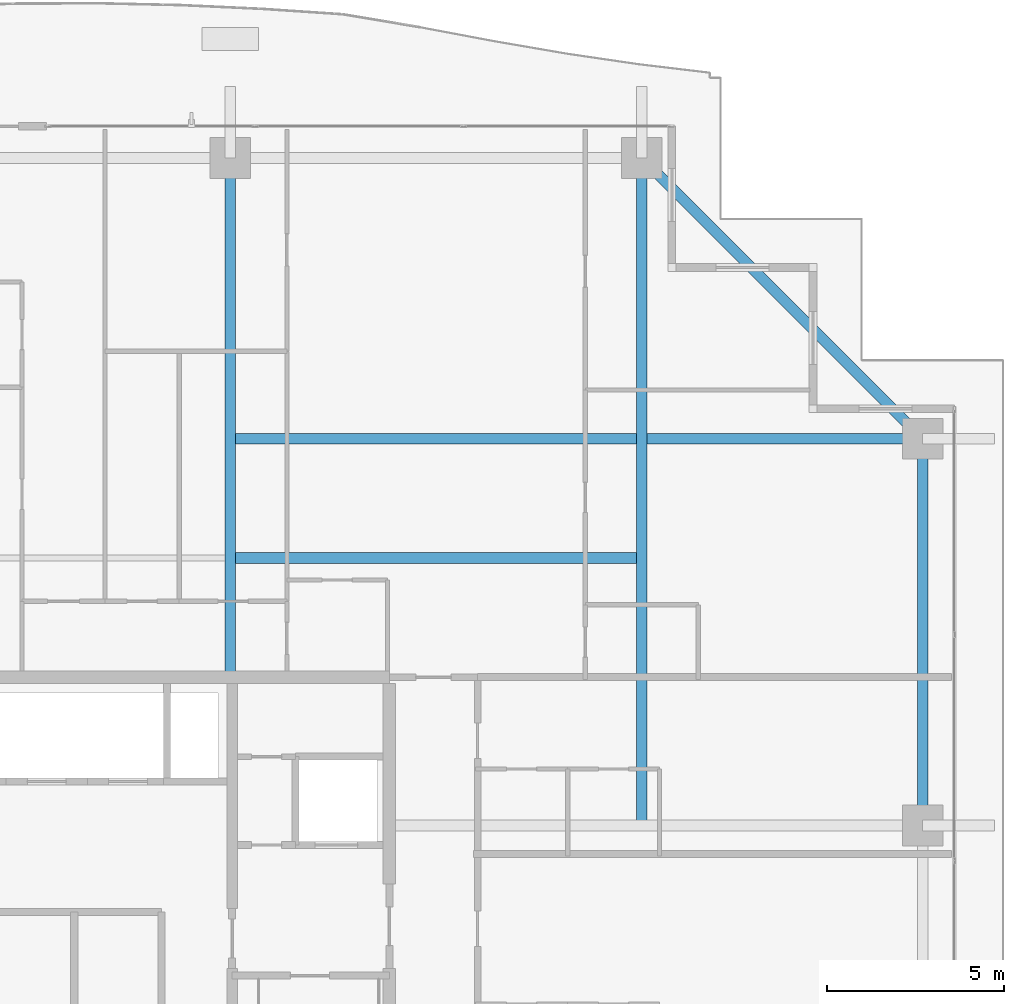
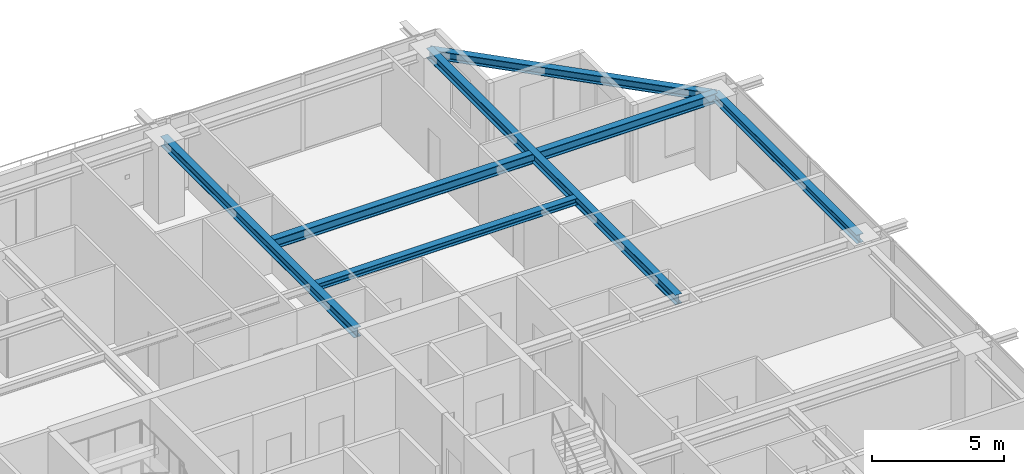
# One storey, part 23 of 40: 6 beams.
"""IFC4 building model written with IfcOpenShell, lengths in metres."""

import ifcopenshell
import ifcopenshell.guid

model = None  # the IFC model being written
_history = None  # IfcOwnerHistory: only IFC2X3 demands one
_inside = {}  # id of a spatial element -> (the spatial element, [elements in it])
_under = {}  # id of a project, library or spatial element -> (it, [spatial elements below it])
_declared = {}  # id of a project -> (the project, [libraries it declares])
_typed = {}  # id of a type object -> (the type object, [elements of that type])
_made_of = {}  # id of a material, layer set ... -> (it, [elements and type objects made of it])


def new_model(schema):
    """Start an empty IFC model of exactly this schema.

    Asked for "IFC4X3", IfcOpenShell would pick the latest addendum, in which some entities
    have other attributes; the version numbers below select the first issue.
    IFC2X3 requires an IfcOwnerHistory on every rooted entity: one is made here for all.
    """
    global model, _history
    if schema == "IFC4X3":
        model = ifcopenshell.file(schema_version=(4, 3, 0, 0))
    else:
        model = ifcopenshell.file(schema=schema)
    _inside.clear()
    _under.clear()
    _declared.clear()
    _typed.clear()
    _made_of.clear()
    _history = None
    if model.schema == "IFC2X3":
        org = make("IfcOrganization", Name="unknown")
        user = make(
            "IfcPersonAndOrganization",
            ThePerson=make("IfcPerson", FamilyName="unknown"),
            TheOrganization=org,
        )
        app = make(
            "IfcApplication",
            ApplicationDeveloper=org,
            Version="unknown",
            ApplicationFullName="unknown",
            ApplicationIdentifier="unknown",
        )
        _history = make(
            "IfcOwnerHistory",
            OwningUser=user,
            OwningApplication=app,
            ChangeAction="ADDED",
            CreationDate=0,
        )
    return model


def make(cls, **values):
    """One entity of the class cls with the attributes given. An attribute that is None is left unset."""
    return model.create_entity(
        cls, **{name: value for name, value in values.items() if value is not None}
    )


def rooted(cls, **values):
    """An entity with a GlobalId (a new one), such as an element, a storey or a relation."""
    return make(cls, GlobalId=ifcopenshell.guid.new(), OwnerHistory=_history, **values)


def si_unit(unit_type, name, prefix=None):
    """IfcSIUnit, for example si_unit("LENGTHUNIT", "METRE", prefix="MILLI")."""
    return make("IfcSIUnit", UnitType=unit_type, Prefix=prefix, Name=name)


def assignment(units):
    """IfcUnitAssignment: the units of a project."""
    return None if units is None else make("IfcUnitAssignment", Units=units)


def point(xyz):
    """IfcCartesianPoint."""
    return None if xyz is None else make("IfcCartesianPoint", Coordinates=xyz)


def direction(xyz):
    """IfcDirection."""
    return None if xyz is None else make("IfcDirection", DirectionRatios=xyz)


def frame(location, z_axis=None, x_axis=None):
    """IfcAxis2Placement3D, a coordinate frame: its origin and axes. An axis left out is left unset."""
    return make(
        "IfcAxis2Placement3D",
        Location=point(location),
        Axis=direction(z_axis),
        RefDirection=direction(x_axis),
    )


def frame_2d(location, x_axis=None):
    """IfcAxis2Placement2D, a coordinate frame in the plane: its origin and x axis."""
    return make(
        "IfcAxis2Placement2D", Location=point(location), RefDirection=direction(x_axis)
    )


def origin():
    """The frame at (0, 0, 0) with its axes left unset."""
    return frame((0.0, 0.0, 0.0))


def origin_2d():
    """The frame at (0, 0) in the plane with its x axis left unset."""
    return frame_2d((0.0, 0.0))


def place(relative_to, where):
    """IfcLocalPlacement: puts the frame where relative to a parent placement (None: the world)."""
    return make(
        "IfcLocalPlacement", PlacementRelTo=relative_to, RelativePlacement=where
    )


def context(
    kind, dimensions, precision=None, world=None, true_north=None, identifier=None
):
    """IfcGeometricRepresentationContext, for example the 3D "Model" context."""
    return make(
        "IfcGeometricRepresentationContext",
        ContextIdentifier=identifier,
        ContextType=kind,
        CoordinateSpaceDimension=dimensions,
        Precision=precision,
        WorldCoordinateSystem=world,
        TrueNorth=true_north,
    )


def subcontext(parent, identifier, kind, view, scale=None):
    """IfcGeometricRepresentationSubContext, for example "Body" below "Model"."""
    return make(
        "IfcGeometricRepresentationSubContext",
        ContextIdentifier=identifier,
        ContextType=kind,
        ParentContext=parent,
        TargetScale=scale,
        TargetView=view,
    )


def project(units=None, contexts=None):
    """IfcProject with its units and contexts."""
    return rooted(
        "IfcProject",
        Name="project",
        RepresentationContexts=contexts,
        UnitsInContext=assignment(units),
    )


def spatial(cls, under=None, at=None, **own):
    """A site, building, storey or space (cls), placed at a placement, below another one or the project."""
    s = rooted(cls, ObjectPlacement=at, **own)
    if under is not None:
        _under.setdefault(under.id(), (under, []))[1].append(s)
    return s


def profile(cls, at=None, kind="AREA", **sizes):
    """A parametric profile (cls). Its sizes go by their IFC names, for example OverallWidth=200.0."""
    return make(cls, ProfileType=kind, Position=at, **sizes)


def i_section(**sizes):
    """IfcIShapeProfileDef."""
    return profile("IfcIShapeProfileDef", **sizes)


def extrude(swept, where, along, depth):
    """IfcExtrudedAreaSolid: the profile swept, set in the frame where, extruded along a direction by depth."""
    return make(
        "IfcExtrudedAreaSolid",
        SweptArea=swept,
        Position=where,
        ExtrudedDirection=direction(along),
        Depth=depth,
    )


def shape(context_of_items, identifier, shape_type, items):
    """IfcShapeRepresentation: the items that make up one representation, for example the "Body"."""
    return make(
        "IfcShapeRepresentation",
        ContextOfItems=context_of_items,
        RepresentationIdentifier=identifier,
        RepresentationType=shape_type,
        Items=items,
    )


def source(mapping_origin, context_of_items, identifier, shape_type, items):
    """IfcRepresentationMap: a shape defined once, which mapped items show again and again."""
    return make(
        "IfcRepresentationMap",
        MappingOrigin=mapping_origin,
        MappedRepresentation=shape(context_of_items, identifier, shape_type, items),
    )


def transform(
    local_origin,
    x_axis=None,
    y_axis=None,
    z_axis=None,
    scale=None,
    scale2=None,
    scale3=None,
    uniform=True,
):
    """IfcCartesianTransformationOperator3D, or its non-uniform kind. x_axis, y_axis, z_axis: its Axis1, 2, 3."""
    if uniform:
        return make(
            "IfcCartesianTransformationOperator3D",
            Axis1=direction(x_axis),
            Axis2=direction(y_axis),
            LocalOrigin=point(local_origin),
            Scale=scale,
            Axis3=direction(z_axis),
        )
    return make(
        "IfcCartesianTransformationOperator3DnonUniform",
        Axis1=direction(x_axis),
        Axis2=direction(y_axis),
        LocalOrigin=point(local_origin),
        Scale=scale,
        Axis3=direction(z_axis),
        Scale2=scale2,
        Scale3=scale3,
    )


def mapped(mapping_source, mapping_target):
    """IfcMappedItem: shows the shape of a source again, moved by a transform."""
    return make(
        "IfcMappedItem", MappingSource=mapping_source, MappingTarget=mapping_target
    )


def material(Name=None, Category=None):
    """IfcMaterial."""
    return make("IfcMaterial", Name=Name, Category=Category)


def material_profile(
    of_material, cross_section, Name=None, Category=None, Priority=None
):
    """IfcMaterialProfile: a cross section and its material."""
    return make(
        "IfcMaterialProfile",
        Name=Name,
        Material=of_material,
        Profile=cross_section,
        Priority=Priority,
        Category=Category,
    )


def profile_set(profiles, Name=None, composite=None):
    """IfcMaterialProfileSet."""
    return make(
        "IfcMaterialProfileSet",
        Name=Name,
        MaterialProfiles=profiles,
        CompositeProfile=composite,
    )


def made_of(thing, what):
    """Note that an element or type object is made of a material, layer set ...; save() writes the relation."""
    if what is not None:
        _made_of.setdefault(what.id(), (what, []))[1].append(thing)
    return thing


def type_object(cls, material=None, **own):
    """A type object (cls), such as IfcWallType, which elements share."""
    return made_of(rooted(cls, **own), material)


def element(
    cls,
    number,
    at=None,
    inside=None,
    cuts=None,
    type_object=None,
    material=None,
    context=None,
    identifier="Body",
    shape_type=None,
    held_by="IfcProductDefinitionShape",
    body=None,
    shapes=None,
    **own,
):
    """One element of the class cls, such as IfcWall. Its Tag is "e" and its number.

    at: its placement. inside: the storey or other place that contains it. cuts: it is an
    opening in that element (IfcRelVoidsElement). A single representation is given by context,
    identifier, shape_type and body (its items); several are given by shapes. held_by: the class
    of the entity that holds the representations. save() writes the other relations.
    """
    e = rooted(cls, Tag="e%d" % number, ObjectPlacement=at, **own)
    if body is not None:
        shapes = [shape(context, identifier, shape_type, body)]
    if shapes is not None:
        e.Representation = make(held_by, Representations=shapes)
    if inside is not None:
        _inside.setdefault(inside.id(), (inside, []))[1].append(e)
    if cuts is not None:
        rooted(
            "IfcRelVoidsElement", RelatingBuildingElement=cuts, RelatedOpeningElement=e
        )
    if type_object is not None:
        _typed.setdefault(type_object.id(), (type_object, []))[1].append(e)
    return made_of(e, material)


def aggregate(whole, parts):
    """IfcRelAggregates: a whole, such as a stair, and the parts it consists of."""
    return rooted("IfcRelAggregates", RelatingObject=whole, RelatedObjects=parts)


def save(model, path):
    """Write the relations noted so far, then the file.

    IfcRelAggregates (storeys below a building ...), IfcRelContainedInSpatialStructure (elements
    in a storey), IfcRelDefinesByType, IfcRelAssociatesMaterial and IfcRelDeclares: one each for
    every whole, place, type object, material and project.
    """
    for whole, parts in _under.values():
        aggregate(whole, parts)
    for where, things in _inside.values():
        rooted(
            "IfcRelContainedInSpatialStructure",
            RelatedElements=things,
            RelatingStructure=where,
        )
    for kind, things in _typed.values():
        rooted("IfcRelDefinesByType", RelatedObjects=things, RelatingType=kind)
    for what, things in _made_of.values():
        rooted("IfcRelAssociatesMaterial", RelatedObjects=things, RelatingMaterial=what)
    for by, libraries in _declared.values():
        rooted("IfcRelDeclares", RelatingContext=by, RelatedDefinitions=libraries)
    model.write(path)


model = new_model("IFC4")

# Units and contexts
model_context = context("Model", 3, precision=1e-05, world=origin(), true_north=direction((0.0, 1.0)))
body_context = subcontext(model_context, "Body", "Model", "MODEL_VIEW")
ifc_project = project(units=[si_unit("LENGTHUNIT", "METRE"), si_unit("AREAUNIT", "SQUARE_METRE"), si_unit("VOLUMEUNIT", "CUBIC_METRE"), si_unit("PLANEANGLEUNIT", "RADIAN"), si_unit("MASSUNIT", "GRAM", prefix="KILO")], contexts=[model_context])

# Site, building, storey
site_placement = place(None, origin())
site = spatial("IfcSite", under=ifc_project, at=site_placement, CompositionType="ELEMENT")
building_placement = place(site_placement, origin())
building = spatial("IfcBuilding", under=site, at=building_placement, Name="Serunith Strait Residences", CompositionType="ELEMENT")
storey_placement = place(building_placement, frame((0.0, 0.0, 252.800048828125)))
storey = spatial("IfcBuildingStorey", under=building, at=storey_placement, Name="L63", CompositionType="ELEMENT", Elevation=252.800048828125)

# Beams
ifc_material = material(Name="Steel S355J2", Category="steel")
ifc_material_profile_1 = material_profile(ifc_material, i_section(OverallWidth=0.300048828125, OverallDepth=0.449951171875, WebThickness=0.013916015625, FlangeThickness=0.02587890625, FilletRadius=0.027099609375, at=origin_2d()), Name="HEB 450")
ifc_profile_set_1 = profile_set([ifc_material_profile_1], Name="Steel S355J2")
beam_type_1 = type_object("IfcBeamType", Name="BM-HEB450", PredefinedType="BEAM", material=ifc_profile_set_1)
shared_shape_1 = source(origin(), body_context, "Body", "SweptSolid", [
    extrude(i_section(OverallWidth=0.300048828125, OverallDepth=0.449951171875, WebThickness=0.013916015625, FlangeThickness=0.02587890625, FilletRadius=0.027099609375, at=origin_2d()), origin(), (0.0, 0.0, 1.0), 14.699951171875),
])
beam_1_placement = place(storey_placement, frame((36.89990234375, 33.60009765625, 3.362060546875), z_axis=(0.0, 1.0, 0.0), x_axis=(-1.0, 0.0, 0.0)))
element("IfcBeam", 1, at=beam_1_placement, inside=storey, type_object=beam_type_1, Name="L63 Primary Floor Girder TC-N3", PredefinedType="BEAM", context=body_context, shape_type="MappedRepresentation", body=[
    mapped(shared_shape_1, transform((0.0, 0.0, 0.0), scale=1.0)),
])
shared_shape_2 = source(origin(), body_context, "Body", "SweptSolid", [
    extrude(i_section(OverallWidth=0.300048828125, OverallDepth=0.449951171875, WebThickness=0.013916015625, FlangeThickness=0.02587890625, FilletRadius=0.027099609375, at=origin_2d()), origin(), (0.0, 0.0, 1.0), 18.900146484375),
])
beam_2_placement = place(storey_placement, frame((48.550048828125, 29.39990234375, 3.362060546875), z_axis=(0.0, 1.0, 0.0), x_axis=(-1.0, 0.0, 0.0)))
element("IfcBeam", 2, at=beam_2_placement, inside=storey, type_object=beam_type_1, Name="L63 Orthogonal Corner Girder TC-N4", PredefinedType="BEAM", context=body_context, shape_type="MappedRepresentation", body=[
    mapped(shared_shape_2, transform((0.0, 0.0, 0.0), scale=1.0)),
])
shared_shape_3 = source(origin(), body_context, "Body", "SweptSolid", [
    extrude(i_section(OverallWidth=0.300048828125, OverallDepth=0.449951171875, WebThickness=0.013916015625, FlangeThickness=0.02587890625, FilletRadius=0.027099609375, at=origin_2d()), origin(), (0.0, 0.0, 1.0), 19.60009765625),
])
beam_3_placement = place(storey_placement, frame((36.89990234375, 40.35009765625, 3.362060546875), z_axis=(1.0, 0.0, 0.0), x_axis=(0.0, 1.0, 0.0)))
element("IfcBeam", 3, at=beam_3_placement, inside=storey, type_object=beam_type_1, Name="L63 Orthogonal Corner Girder TC-E4", PredefinedType="BEAM", context=body_context, shape_type="MappedRepresentation", body=[
    mapped(shared_shape_3, transform((0.0, 0.0, 0.0), scale=1.0)),
])
ifc_material_profile_2 = material_profile(ifc_material, i_section(OverallWidth=0.300048828125, OverallDepth=0.39990234375, WebThickness=0.013427734375, FlangeThickness=0.02392578125, FilletRadius=0.027099609375, at=origin_2d()), Name="HEB 400")
ifc_profile_set_2 = profile_set([ifc_material_profile_2], Name="Steel S355J2")
beam_type_2 = type_object("IfcBeamType", Name="BM-HEB400", PredefinedType="BEAM", material=ifc_profile_set_2)
shared_shape_4 = source(origin(), body_context, "Body", "SweptSolid", [
    extrude(i_section(OverallWidth=0.300048828125, OverallDepth=0.39990234375, WebThickness=0.013427734375, FlangeThickness=0.02392578125, FilletRadius=0.027099609375, at=origin_2d()), origin(), (0.0, 0.0, 1.0), 11.242919921875),
])
beam_4_placement = place(storey_placement, frame((56.5, 40.35009765625, 3.35693359375), z_axis=(-0.707106781187, 0.707106781187, 0.0), x_axis=(-0.707106781187, -0.707106781187, 0.0)))
element("IfcBeam", 4, at=beam_4_placement, inside=storey, type_object=beam_type_2, Name="L63 Perimeter Ring Beam 08", PredefinedType="BEAM", context=body_context, shape_type="MappedRepresentation", body=[
    mapped(shared_shape_4, transform((0.0, 0.0, 0.0), scale=1.0)),
])
shared_shape_5 = source(origin(), body_context, "Body", "SweptSolid", [
    extrude(i_section(OverallWidth=0.300048828125, OverallDepth=0.39990234375, WebThickness=0.013427734375, FlangeThickness=0.02392578125, FilletRadius=0.027099609375, at=origin_2d()), origin(), (0.0, 0.0, 1.0), 10.9501953125),
])
beam_5_placement = place(storey_placement, frame((56.5, 29.39990234375, 3.386962890625), z_axis=(0.0, 1.0, 0.0), x_axis=(-1.0, 0.0, 0.0)))
element("IfcBeam", 5, at=beam_5_placement, inside=storey, type_object=beam_type_2, Name="L63 Perimeter Ring Beam 07", PredefinedType="BEAM", context=body_context, shape_type="MappedRepresentation", body=[
    mapped(shared_shape_5, transform((0.0, 0.0, 0.0), scale=1.0)),
])
ifc_material_profile_3 = material_profile(ifc_material, i_section(OverallWidth=0.300048828125, OverallDepth=0.300048828125, WebThickness=0.010986328125, FlangeThickness=0.01904296875, FilletRadius=0.027099609375, at=origin_2d()), Name="HEB 300")
ifc_profile_set_3 = profile_set([ifc_material_profile_3], Name="Steel S355J2")
beam_type_3 = type_object("IfcBeamType", Name="BM-HEB300", PredefinedType="JOIST", material=ifc_profile_set_3)
shared_shape_6 = source(origin(), body_context, "Body", "SweptSolid", [
    extrude(i_section(OverallWidth=0.300048828125, OverallDepth=0.300048828125, WebThickness=0.010986328125, FlangeThickness=0.01904296875, FilletRadius=0.027099609375, at=origin_2d()), origin(), (0.0, 0.0, 1.0), 11.349853515625),
])
beam_6_placement = place(storey_placement, frame((37.050048828125, 36.97509765625, 3.43701171875), z_axis=(1.0, 0.0, 0.0), x_axis=(0.0, 1.0, 0.0)))
element("IfcBeam", 6, at=beam_6_placement, inside=storey, type_object=beam_type_3, Name="L63 Composite Floor Joist 06", PredefinedType="JOIST", context=body_context, shape_type="MappedRepresentation", body=[
    mapped(shared_shape_6, transform((0.0, 0.0, 0.0), scale=1.0)),
])

save(model, "model.ifc")
